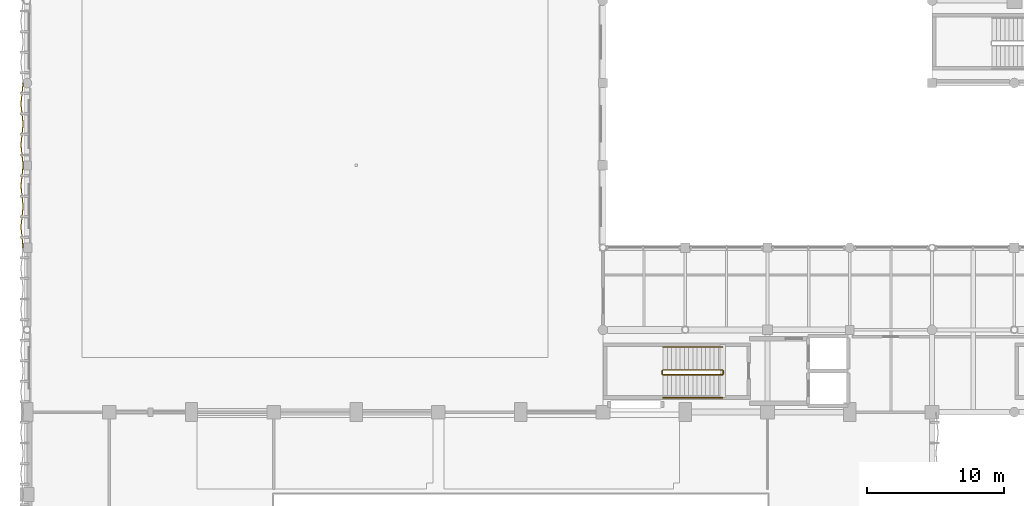
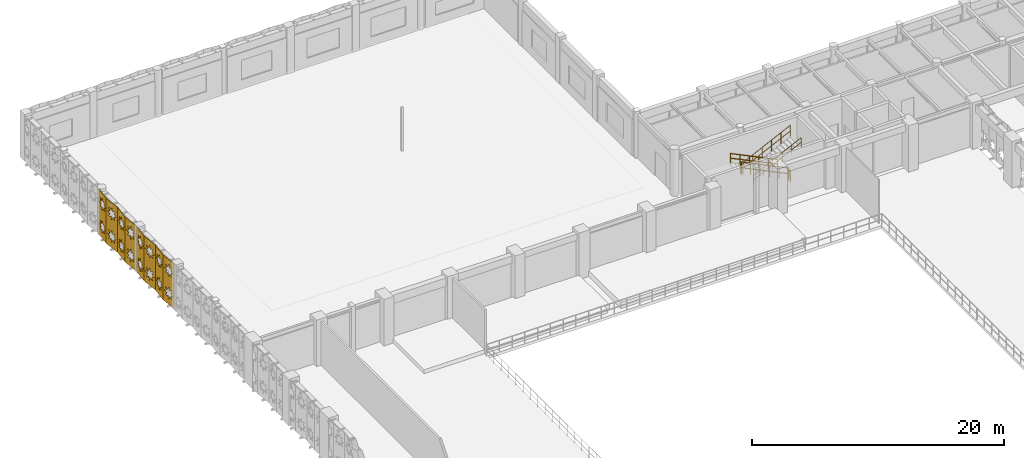
# One storey, part 111 of 116: 8 coverings, 6 railings.
"""IFC4 building model written with IfcOpenShell, lengths in metres."""

from ifc_helpers import new_model, si_unit, direction, frame, origin, origin_2d, place, context, subcontext, project, spatial, polyline, circle, outline, extrude, material, layer, layer_set, type_object, element, save


model = new_model("IFC4")

# Units and contexts
model_context = context("Model", 3, precision=1e-05, world=origin(), true_north=direction((0.0, 1.0)))
body_context = subcontext(model_context, "Body", "Model", "MODEL_VIEW")
ifc_project = project(units=[si_unit("LENGTHUNIT", "METRE"), si_unit("AREAUNIT", "SQUARE_METRE"), si_unit("VOLUMEUNIT", "CUBIC_METRE"), si_unit("PLANEANGLEUNIT", "RADIAN"), si_unit("MASSUNIT", "GRAM", prefix="KILO"), si_unit("THERMODYNAMICTEMPERATUREUNIT", "KELVIN"), si_unit("POWERUNIT", "WATT")], contexts=[model_context])

# Site, building, storey
site_placement = place(None, origin())
site = spatial("IfcSite", under=ifc_project, at=site_placement, CompositionType="ELEMENT")
building_placement = place(site_placement, origin())
building = spatial("IfcBuilding", under=site, at=building_placement, Name="Phaisarnlok Congress Hotel", CompositionType="ELEMENT")
storey_placement = place(building_placement, frame((0.0, 0.0, 10.5)))
storey = spatial("IfcBuildingStorey", under=building, at=storey_placement, Name="L02", CompositionType="ELEMENT", Elevation=10.5)

# Coverings
ifc_material_1 = material(Name="PVDF White Perforated Aluminium Alloy 5052", Category="aluminium")
ifc_layer = layer(ifc_material_1, 0.0400390625, Name="PVDF White Perforated Aluminium Alloy 5052")
ifc_layer_set = layer_set([ifc_layer], Name="PVDF White Perforated Aluminium Alloy 5052")
covering_type = type_object("IfcCoveringType", Name="COV-STAR-FOLD", PredefinedType="CLADDING", material=ifc_layer_set)
for number, where, z_axis, x_axis, name in (
    (1, (-0.300048828125, 96.0, 0.06005859375), (0.994517863207, 0.104566819602, 0.0), (-0.104566819602, 0.994517863207, 0.0), "Folded star-perforated hall screen SS-02 (V3W L02)"),
    (2, (-0.457763671875, 97.5, 0.06005859375), (0.994517863207, -0.104566819602, 0.0), (0.104566819602, 0.994517863207, 0.0), "Folded star-perforated hall screen SS-02 (V3W L02)"),
    (3, (-0.300048828125, 99.0, 0.06005859375), (0.994517863207, 0.104566819602, 0.0), (-0.104566819602, 0.994517863207, 0.0), "Folded star-perforated hall screen SS-02 (V3W L02)"),
    (4, (-0.457763671875, 100.5, 0.06005859375), (0.994517863207, -0.104566819602, 0.0), (0.104566819602, 0.994517863207, 0.0), "Folded star-perforated hall screen SS-02 (V3W L02)"),
    (5, (-0.300048828125, 102.0, 0.06005859375), (0.994517863207, 0.104566819602, 0.0), (-0.104566819602, 0.994517863207, 0.0), "Folded star-perforated hall screen SS-02 (V3W L02)"),
    (6, (-0.457763671875, 103.5, 0.06005859375), (0.994517863207, -0.104566819602, 0.0), (0.104566819602, 0.994517863207, 0.0), "Folded star-perforated hall screen SS-02 (V3W L02)"),
    (7, (-0.300048828125, 105.0, 0.06005859375), (0.994517863207, 0.104566819602, 0.0), (-0.104566819602, 0.994517863207, 0.0), "Folded star-perforated hall screen SS-02 (V3W L02)"),
    (8, (-0.457763671875, 106.5, 0.06005859375), (0.994517863207, -0.104566819602, 0.0), (0.104566819602, 0.994517863207, 0.0), "Folded star-perforated hall screen SS-02 (V3W L02)"),
):
    element("IfcCovering", number, at=place(storey_placement, frame(where, z_axis=z_axis, x_axis=x_axis)), inside=storey, type_object=covering_type, Name=name, PredefinedType="CLADDING", context=body_context, shape_type="SweptSolid", body=[
        extrude(outline(polyline([(0.0, 0.0), (1.5082685344258453, 0.0), (1.5082685344258453, 4.35986328125), (0.0, 4.35986328125), (0.0, 0.0)]), holes=[polyline([(1.0351, 0.9736), (1.2021, 0.6421), (0.8705, 0.8091), (0.7541, 0.4565), (0.6378, 0.8091), (0.3062, 0.6421), (0.4732, 0.9736), (0.1207, 1.09), (0.4732, 1.2064), (0.3062, 1.5379), (0.6378, 1.3709), (0.7541, 1.7235), (0.8705, 1.3709), (1.2021, 1.5379), (1.0351, 1.2064), (1.3876, 1.09), (1.0351, 0.9736)]), polyline([(1.0351, 3.1536), (1.2021, 2.8221), (0.8705, 2.9891), (0.7541, 2.6365), (0.6378, 2.9891), (0.3062, 2.8221), (0.4732, 3.1536), (0.1207, 3.27), (0.4732, 3.3864), (0.3062, 3.7179), (0.6378, 3.5509), (0.7541, 3.9035), (0.8705, 3.5509), (1.2021, 3.7179), (1.0351, 3.3864), (1.3876, 3.27), (1.0351, 3.1536)])]), origin(), (0.0, 0.0, 1.0), 0.0400390625),
    ])

# Railings
ifc_material_2 = material(Name="Painted Galvanised Steel S275", Category="steel")
railing_type_1 = type_object("IfcRailingType", Name="RLG-STR-GUARD", PredefinedType="BALUSTRADE", material=ifc_material_2)
railing_1_placement = place(storey_placement, frame((50.719970703125, 87.070068359375, 0.14990234375)))
element("IfcRailing", 9, at=railing_1_placement, inside=storey, type_object=railing_type_1, Name="L02 ST-01 stair guard 1", PredefinedType="BALUSTRADE", context=body_context, shape_type="SweptSolid", body=[
    extrude(circle(Radius=0.02392578125, at=origin_2d()), frame((0.0, 0.0, 1.076171875), z_axis=(-0.900154768424, 0.0, 0.435570192832), x_axis=(0.0, -1.0, 0.0)), (0.0, 0.0, 1.0), 4.821533203125),
    extrude(circle(Radius=0.02392578125, at=origin_2d()), frame((0.0, 0.0, 0.52587890625), z_axis=(-0.900154768424, 0.0, 0.435570192832), x_axis=(0.0, -1.0, 0.0)), (0.0, 0.0, 1.0), 4.821533203125),
    extrude(circle(Radius=0.02099609375, at=origin_2d()), origin(), (0.0, 0.0, 1.0), 1.052001953125),
    extrude(circle(Radius=0.02099609375, at=origin_2d()), frame((-0.867919921875, 0.0, 0.419921875)), (0.0, 0.0, 1.0), 1.052001953125),
    extrude(circle(Radius=0.02099609375, at=origin_2d()), frame((-1.736083984375, 0.0, 0.840087890625)), (0.0, 0.0, 1.0), 1.052001953125),
    extrude(circle(Radius=0.02099609375, at=origin_2d()), frame((-2.60400390625, 0.0, 1.260009765625)), (0.0, 0.0, 1.0), 1.052001953125),
    extrude(circle(Radius=0.02099609375, at=origin_2d()), frame((-3.47216796875, 0.0, 1.68017578125)), (0.0, 0.0, 1.0), 1.052001953125),
    extrude(circle(Radius=0.02099609375, at=origin_2d()), frame((-4.340087890625, 0.0, 2.10009765625)), (0.0, 0.0, 1.0), 1.052001953125),
])
railing_2_placement = place(storey_placement, frame((46.330078125, 87.02001953125, 2.25)))
element("IfcRailing", 10, at=railing_2_placement, inside=storey, type_object=railing_type_1, Name="L02 ST-01 stair guard 2", PredefinedType="BALUSTRADE", context=body_context, shape_type="SweptSolid", body=[
    extrude(circle(Radius=0.02392578125, at=origin_2d()), frame((0.0, 0.0, 1.076171875), z_axis=(0.0, -1.0, 0.0), x_axis=(1.0, 0.0, 0.0)), (0.0, 0.0, 1.0), 0.239990234375),
    extrude(circle(Radius=0.02392578125, at=origin_2d()), frame((0.0, 0.0, 0.52587890625), z_axis=(0.0, -1.0, 0.0), x_axis=(1.0, 0.0, 0.0)), (0.0, 0.0, 1.0), 0.239990234375),
    extrude(circle(Radius=0.02099609375, at=origin_2d()), origin(), (0.0, 0.0, 1.0), 1.052001953125),
    extrude(circle(Radius=0.02099609375, at=origin_2d()), frame((0.0, -0.239990234375, 0.0)), (0.0, 0.0, 1.0), 1.052001953125),
])
railing_3_placement = place(storey_placement, frame((46.3798828125, 86.72998046875, 2.39990234375)))
element("IfcRailing", 11, at=railing_3_placement, inside=storey, type_object=railing_type_1, Name="L02 ST-01 stair guard 3", PredefinedType="BALUSTRADE", context=body_context, shape_type="SweptSolid", body=[
    extrude(circle(Radius=0.02392578125, at=origin_2d()), frame((0.0, 0.0, 1.076171875), z_axis=(0.900154768424, 0.0, 0.435570192832), x_axis=(0.0, 1.0, 0.0)), (0.0, 0.0, 1.0), 4.821533203125),
    extrude(circle(Radius=0.02392578125, at=origin_2d()), frame((0.0, 0.0, 0.52587890625), z_axis=(0.900154768424, 0.0, 0.435570192832), x_axis=(0.0, 1.0, 0.0)), (0.0, 0.0, 1.0), 4.821533203125),
    extrude(circle(Radius=0.02099609375, at=origin_2d()), origin(), (0.0, 0.0, 1.0), 1.052001953125),
    extrude(circle(Radius=0.02099609375, at=origin_2d()), frame((0.867919921875, 0.0, 0.419921875)), (0.0, 0.0, 1.0), 1.052001953125),
    extrude(circle(Radius=0.02099609375, at=origin_2d()), frame((1.736083984375, 0.0, 0.840087890625)), (0.0, 0.0, 1.0), 1.052001953125),
    extrude(circle(Radius=0.02099609375, at=origin_2d()), frame((2.60400390625, 0.0, 1.260009765625)), (0.0, 0.0, 1.0), 1.052001953125),
    extrude(circle(Radius=0.02099609375, at=origin_2d()), frame((3.47216796875, 0.0, 1.68017578125)), (0.0, 0.0, 1.0), 1.052001953125),
    extrude(circle(Radius=0.02099609375, at=origin_2d()), frame((4.340087890625, 0.0, 2.10009765625)), (0.0, 0.0, 1.0), 1.052001953125),
])
railing_4_placement = place(storey_placement, frame((50.77001953125, 87.02001953125, 0.0)))
element("IfcRailing", 12, at=railing_4_placement, inside=storey, type_object=railing_type_1, Name="L02 ST-01 stair guard 4", PredefinedType="BALUSTRADE", context=body_context, shape_type="SweptSolid", body=[
    extrude(circle(Radius=0.02392578125, at=origin_2d()), frame((0.0, 0.0, 1.076171875), z_axis=(0.0, -1.0, 0.0), x_axis=(1.0, 0.0, 0.0)), (0.0, 0.0, 1.0), 0.239990234375),
    extrude(circle(Radius=0.02392578125, at=origin_2d()), frame((0.0, 0.0, 0.52587890625), z_axis=(0.0, -1.0, 0.0), x_axis=(1.0, 0.0, 0.0)), (0.0, 0.0, 1.0), 0.239990234375),
    extrude(circle(Radius=0.02099609375, at=origin_2d()), origin(), (0.0, 0.0, 1.0), 1.052001953125),
    extrude(circle(Radius=0.02099609375, at=origin_2d()), frame((0.0, -0.239990234375, 0.0)), (0.0, 0.0, 1.0), 1.052001953125),
])
ifc_material_3 = material(Name="Brushed Stainless Steel Grade 304", Category="steel")
railing_type_2 = type_object("IfcRailingType", Name="RLG-STR-HRAIL", PredefinedType="HANDRAIL", material=ifc_material_3)
railing_5_placement = place(storey_placement, frame((50.719970703125, 88.75, 0.14990234375)))
element("IfcRailing", 13, at=railing_5_placement, inside=storey, type_object=railing_type_2, Name="L02 ST-01 stair handrail 1", PredefinedType="HANDRAIL", context=body_context, shape_type="SweptSolid", body=[
    extrude(circle(Radius=0.02392578125, at=origin_2d()), frame((0.0, 0.0, 0.8759765625), z_axis=(-0.900154768424, 0.0, 0.435570192832), x_axis=(0.0, -1.0, 0.0)), (0.0, 0.0, 1.0), 4.821533203125),
    extrude(circle(Radius=0.02392578125, at=origin_2d()), frame((0.0, 0.0, 0.42578125), z_axis=(-0.900154768424, 0.0, 0.435570192832), x_axis=(0.0, -1.0, 0.0)), (0.0, 0.0, 1.0), 4.821533203125),
    extrude(circle(Radius=0.02099609375, at=origin_2d()), origin(), (0.0, 0.0, 1.0), 0.851806640625),
    extrude(circle(Radius=0.02099609375, at=origin_2d()), frame((-0.867919921875, 0.0, 0.419921875)), (0.0, 0.0, 1.0), 0.851806640625),
    extrude(circle(Radius=0.02099609375, at=origin_2d()), frame((-1.736083984375, 0.0, 0.840087890625)), (0.0, 0.0, 1.0), 0.851806640625),
    extrude(circle(Radius=0.02099609375, at=origin_2d()), frame((-2.60400390625, 0.0, 1.260009765625)), (0.0, 0.0, 1.0), 0.851806640625),
    extrude(circle(Radius=0.02099609375, at=origin_2d()), frame((-3.47216796875, 0.0, 1.68017578125)), (0.0, 0.0, 1.0), 0.851806640625),
    extrude(circle(Radius=0.02099609375, at=origin_2d()), frame((-4.340087890625, 0.0, 2.10009765625)), (0.0, 0.0, 1.0), 0.851806640625),
])
railing_6_placement = place(storey_placement, frame((46.3798828125, 85.050048828125, 2.39990234375)))
element("IfcRailing", 14, at=railing_6_placement, inside=storey, type_object=railing_type_2, Name="L02 ST-01 stair handrail 2", PredefinedType="HANDRAIL", context=body_context, shape_type="SweptSolid", body=[
    extrude(circle(Radius=0.02392578125, at=origin_2d()), frame((0.0, 0.0, 0.8759765625), z_axis=(0.900154768424, 0.0, 0.435570192832), x_axis=(0.0, 1.0, 0.0)), (0.0, 0.0, 1.0), 4.821533203125),
    extrude(circle(Radius=0.02392578125, at=origin_2d()), frame((0.0, 0.0, 0.42578125), z_axis=(0.900154768424, 0.0, 0.435570192832), x_axis=(0.0, 1.0, 0.0)), (0.0, 0.0, 1.0), 4.821533203125),
    extrude(circle(Radius=0.02099609375, at=origin_2d()), origin(), (0.0, 0.0, 1.0), 0.851806640625),
    extrude(circle(Radius=0.02099609375, at=origin_2d()), frame((0.867919921875, 0.0, 0.419921875)), (0.0, 0.0, 1.0), 0.851806640625),
    extrude(circle(Radius=0.02099609375, at=origin_2d()), frame((1.736083984375, 0.0, 0.840087890625)), (0.0, 0.0, 1.0), 0.851806640625),
    extrude(circle(Radius=0.02099609375, at=origin_2d()), frame((2.60400390625, 0.0, 1.260009765625)), (0.0, 0.0, 1.0), 0.851806640625),
    extrude(circle(Radius=0.02099609375, at=origin_2d()), frame((3.47216796875, 0.0, 1.68017578125)), (0.0, 0.0, 1.0), 0.851806640625),
    extrude(circle(Radius=0.02099609375, at=origin_2d()), frame((4.340087890625, 0.0, 2.10009765625)), (0.0, 0.0, 1.0), 0.851806640625),
])

save(model, "model.ifc")
